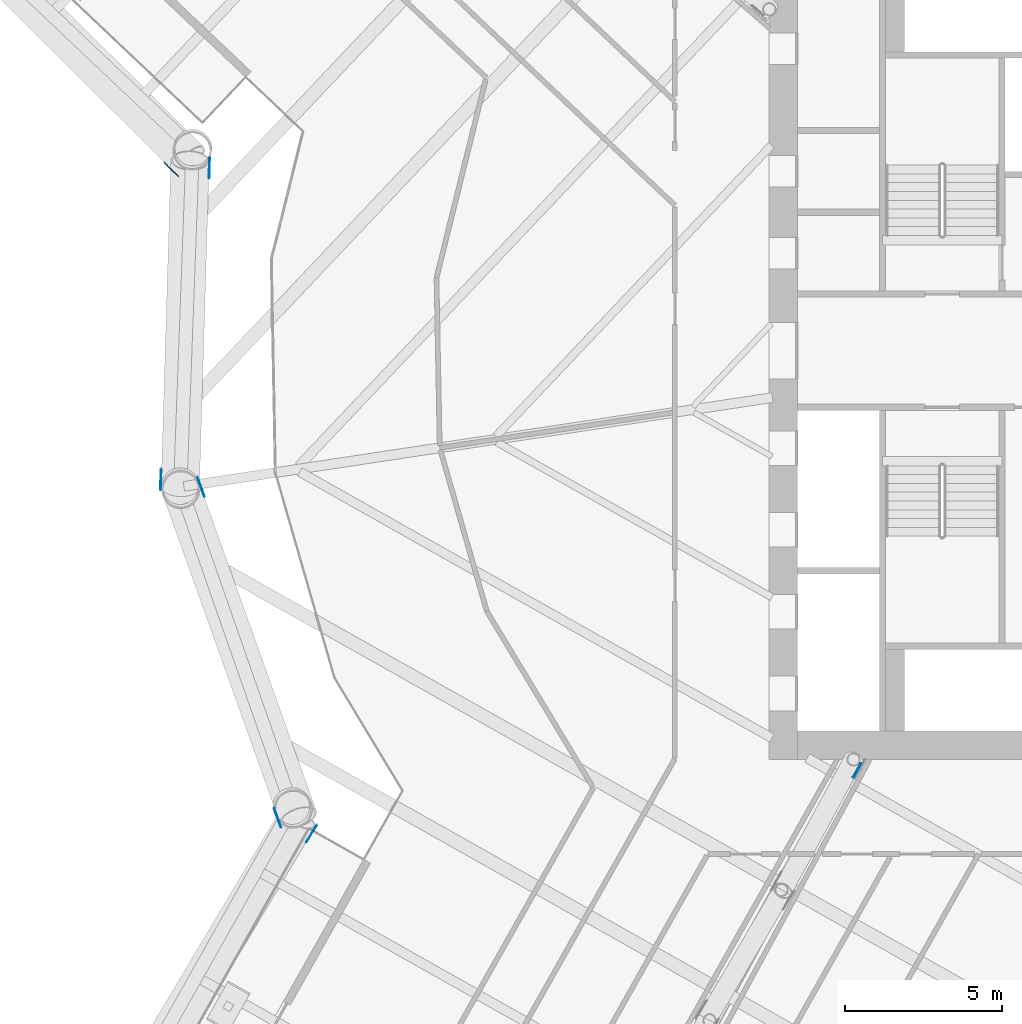
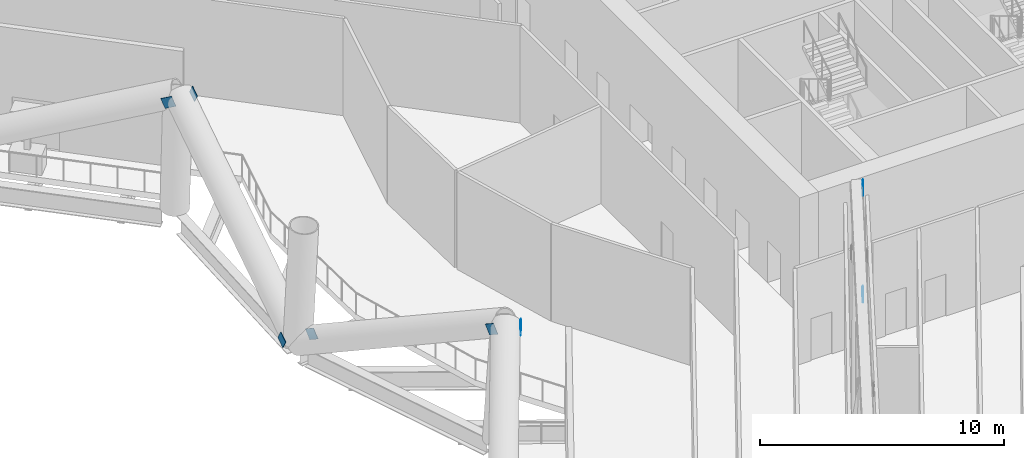
# One storey, part 24 of 39: 8 discrete accessories.
"""IFC4 building model written with IfcOpenShell, lengths in metres."""

from ifc_helpers import new_model, si_unit, direction, frame, origin, origin_2d, place, context, subcontext, project, spatial, rectangle, extrude, material, material_profile, profile_set, type_object, element, save


model = new_model("IFC4")

# Units and contexts
model_context = context("Model", 3, precision=1e-05, world=origin(), true_north=direction((0.0, 1.0)))
body_context = subcontext(model_context, "Body", "Model", "MODEL_VIEW")
ifc_project = project(units=[si_unit("LENGTHUNIT", "METRE"), si_unit("AREAUNIT", "SQUARE_METRE"), si_unit("VOLUMEUNIT", "CUBIC_METRE"), si_unit("PLANEANGLEUNIT", "RADIAN"), si_unit("MASSUNIT", "GRAM", prefix="KILO")], contexts=[model_context])

# Site, building, storey
site_placement = place(None, origin())
site = spatial("IfcSite", under=ifc_project, at=site_placement, CompositionType="ELEMENT")
building_placement = place(site_placement, origin())
building = spatial("IfcBuilding", under=site, at=building_placement, Name="Tarsis Ring Headquarters", CompositionType="ELEMENT")
storey_placement = place(building_placement, frame((0.0, 0.0, 86.800048828125)))
storey = spatial("IfcBuildingStorey", under=building, at=storey_placement, Name="L19", CompositionType="ELEMENT", Elevation=86.800048828125)

# Discrete accessories
ifc_material = material(Name="Structural steel S355", Category="steel")
ifc_material_profile = material_profile(ifc_material, rectangle(XDim=0.02490234375, YDim=0.5, at=origin_2d()), Name="PL 25x500")
ifc_profile_set = profile_set([ifc_material_profile], Name="Structural steel S355")
discrete_accessory_type_1 = type_object("IfcDiscreteAccessoryType", Name="Gusset plate Belt truss 25", PredefinedType="BRACKET", material=ifc_profile_set)
for number, where, z_axis, x_axis, name in (
    (1, (-28.137451171875, -4.12451171875, 0.0), (0.295883165109, -0.82954702561, 0.473608366593), (0.941879798505, 0.335950063504, 0.0), "Gusset plate GP4"),
    (2, (-25.555419921875, -15.052734375, 6.0), (-0.296448604547, 0.829274679606, -0.473731707431), (-0.941641496956, -0.33661742559, 0.0), "Gusset plate GP4"),
    (3, (-24.435546875, -15.16259765625, 6.0), (-0.469698455147, -0.786574024159, -0.400854918581), (0.858572593595, -0.512692014301, 0.0), "Gusset plate GP4"),
    (4, (-28.85107421875, 5.60302734375, 6.0), (-0.652827906636, 0.648433403151, -0.391599088349), (-0.704714784733, -0.709490713244, 0.0), "Gusset plate GP4"),
    (5, (-29.34521484375, -4.315185546875, 0.0), (0.025877024602, 0.865659709784, 0.499963645132), (-0.999553508358, 0.029879490098, 0.0), "Gusset plate GP4"),
):
    element("IfcDiscreteAccessory", number, at=place(storey_placement, frame(where, z_axis=z_axis, x_axis=x_axis)), inside=storey, type_object=discrete_accessory_type_1, Name=name, PredefinedType="BRACKET", context=body_context, shape_type="SweptSolid", body=[
        extrude(rectangle(XDim=0.02490234375, YDim=0.5, at=origin_2d()), origin(), (0.0, 0.0, 1.0), 0.5),
    ])
discrete_accessory_placement = place(storey_placement, frame((-27.790771484375, 6.02587890625, 6.0), z_axis=(-0.025870707117, -0.865448372052, -0.500329713115), x_axis=(0.999553508358, -0.029879490098, 0.0)))
element("IfcDiscreteAccessory", 6, at=discrete_accessory_placement, inside=storey, type_object=discrete_accessory_type_1, Name="Gusset plate GP4", PredefinedType="BRACKET", context=body_context, shape_type="SweptSolid", body=[
    extrude(rectangle(XDim=0.02490234375, YDim=0.5, at=origin_2d()), origin(), (0.0, 0.0, 1.0), 0.500244140625),
])
discrete_accessory_type_2 = type_object("IfcDiscreteAccessoryType", Name="Gusset plate Outrigger chord 25", PredefinedType="BRACKET", material=ifc_profile_set)
for number, where, z_axis, x_axis, name in (
    (7, (-7.089111328125, -13.130859375, 0.25390625), (-0.490817627202, -0.871262335252, 0.0), (0.871262335252, -0.490817627202, 0.0), "Gusset plate GP3"),
    (8, (-7.0869140625, -13.126953125, 5.5859375), (-0.475700898438, -0.879607102759, 0.0), (0.879607102759, -0.475700898438, 0.0), "Gusset plate GP3"),
):
    element("IfcDiscreteAccessory", number, at=place(storey_placement, frame(where, z_axis=z_axis, x_axis=x_axis)), inside=storey, type_object=discrete_accessory_type_2, Name=name, PredefinedType="BRACKET", context=body_context, shape_type="SweptSolid", body=[
        extrude(rectangle(XDim=0.02490234375, YDim=0.5, at=origin_2d()), origin(), (0.0, 0.0, 1.0), 0.5),
    ])

save(model, "model.ifc")
